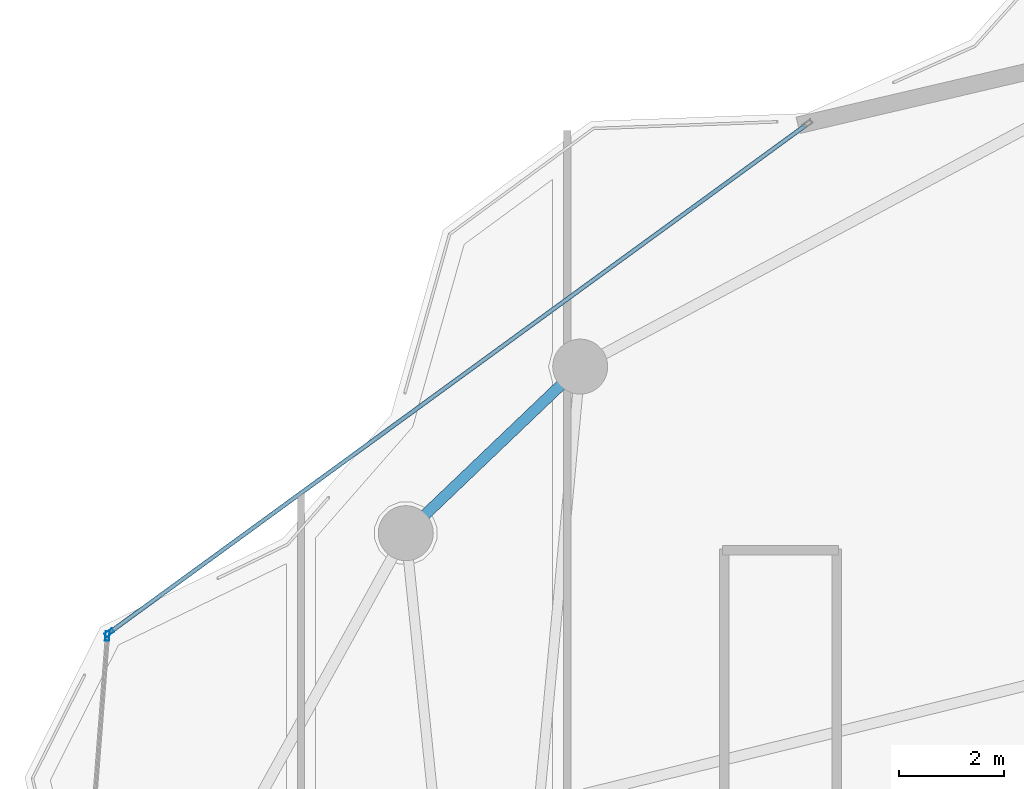
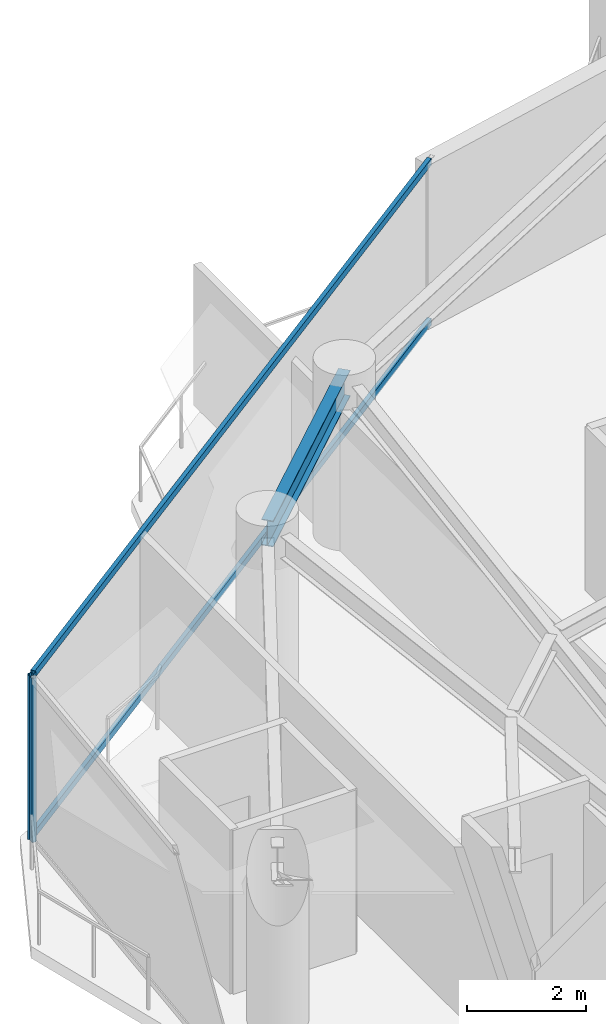
# One storey, part 17 of 31: 4 members, 1 beam, 2 elements without a shape of their own.
"""IFC4 building model written with IfcOpenShell, lengths in metres."""

from ifc_helpers import new_model, si_unit, direction, frame, origin, origin_2d, place, context, subcontext, project, spatial, hollow_rectangle, i_section, extrude, material, layer, layer_set, material_profile, profile_set, type_object, element, aggregate, save


model = new_model("IFC4")

# Units and contexts
model_context = context("Model", 3, precision=1e-05, world=origin(), true_north=direction((0.0, 1.0)))
body_context = subcontext(model_context, "Body", "Model", "MODEL_VIEW")
ifc_project = project(units=[si_unit("LENGTHUNIT", "METRE"), si_unit("AREAUNIT", "SQUARE_METRE"), si_unit("VOLUMEUNIT", "CUBIC_METRE"), si_unit("PLANEANGLEUNIT", "RADIAN"), si_unit("MASSUNIT", "GRAM", prefix="KILO")], contexts=[model_context])

# Site, building, storey
site_placement = place(None, origin())
site = spatial("IfcSite", under=ifc_project, at=site_placement, CompositionType="ELEMENT")
building_placement = place(site_placement, origin())
building = spatial("IfcBuilding", under=site, at=building_placement, Name="Kazevale Care Tower and Concert Hall", CompositionType="ELEMENT")
storey_placement = place(building_placement, frame((0.0, 0.0, 217.199951171875)))
storey = spatial("IfcBuildingStorey", under=building, at=storey_placement, Name="L57", CompositionType="ELEMENT", Elevation=217.199951171875)

# Curtain wall, member
ifc_material_1 = material(Name="Aluminium 6063-T6 and Low-E Glass", Category="aluminium")
ifc_layer = layer(ifc_material_1, 0.179931640625)
ifc_layer_set = layer_set([ifc_layer], Name="Aluminium 6063-T6 and Low-E Glass")
curtain_wall_type = type_object("IfcCurtainWallType", Name="Waist & Upper Residential Curtain Wall CW-4", PredefinedType="NOTDEFINED", material=ifc_layer_set)
curtain_wall_1_placement = place(storey_placement, origin())
curtain_wall_1 = element("IfcCurtainWall", 1, at=curtain_wall_1_placement, inside=storey, type_object=curtain_wall_type, Name="cw:L57:f13", PredefinedType="NOTDEFINED")
ifc_material_2 = material(Name="Aluminium 6063-T6", Category="aluminium")
ifc_material_profile_1 = material_profile(ifc_material_2, hollow_rectangle(XDim=0.080078125, YDim=0.179931640625, WallThickness=0.0048828125, at=origin_2d()), Name="ALU80x180x5")
ifc_profile_set_1 = profile_set([ifc_material_profile_1], Name="Aluminium 6063-T6")
member_type_1 = type_object("IfcMemberType", Name="CW-4 Mullion ALU80x180x5", PredefinedType="MULLION", material=ifc_profile_set_1)
member_1_placement = place(storey_placement, frame((14.722900390625, 49.865234375, 0.0), z_axis=(0.0, 0.0, 1.0), x_axis=(-0.996989311372, 0.077539106325, 0.0)))
member_1 = element("IfcMember", 2, at=member_1_placement, type_object=member_type_1, Name="CW-4 mullion 2", PredefinedType="MULLION", context=body_context, shape_type="SweptSolid", body=[
    extrude(hollow_rectangle(XDim=0.080078125, YDim=0.179931640625, WallThickness=0.0048828125, at=origin_2d()), origin(), (0.0, 0.0, 1.0), 3.360107421875),
])
aggregate(curtain_wall_1, [member_1])

# Curtain wall, members
curtain_wall_2_placement = place(storey_placement, origin())
curtain_wall_2 = element("IfcCurtainWall", 3, at=curtain_wall_2_placement, inside=storey, type_object=curtain_wall_type, Name="cw:L57:f14", PredefinedType="NOTDEFINED")
member_2_placement = place(storey_placement, frame((14.75830078125, 49.928466796875, 0.0), z_axis=(0.0, 0.0, 1.0), x_axis=(-0.588910374145, 0.808198348937, 0.0)))
member_2 = element("IfcMember", 4, at=member_2_placement, type_object=member_type_1, Name="CW-4 mullion 1", PredefinedType="MULLION", context=body_context, shape_type="SweptSolid", body=[
    extrude(hollow_rectangle(XDim=0.080078125, YDim=0.179931640625, WallThickness=0.0048828125, at=origin_2d()), origin(), (0.0, 0.0, 1.0), 3.360107421875),
])
ifc_material_profile_2 = material_profile(ifc_material_2, hollow_rectangle(XDim=0.080078125, YDim=0.139892578125, WallThickness=0.00390625, at=origin_2d()), Name="ALU80x140x4")
ifc_profile_set_2 = profile_set([ifc_material_profile_2], Name="Aluminium 6063-T6")
member_type_2 = type_object("IfcMemberType", Name="CW-4 Transom ALU80x140x4", PredefinedType="USERDEFINED", material=ifc_profile_set_2)
member_3_placement = place(storey_placement, frame((14.790771484375, 49.9521484375, 0.0400390625), z_axis=(0.808197463946, 0.588911588672, 0.0), x_axis=(-0.588911588672, 0.808197463946, 0.0)))
member_3 = element("IfcMember", 5, at=member_3_placement, type_object=member_type_2, Name="CW-4 transom 1.1", ObjectType="TRANSOM", PredefinedType="USERDEFINED", context=body_context, shape_type="SweptSolid", body=[
    extrude(hollow_rectangle(XDim=0.080078125, YDim=0.139892578125, WallThickness=0.00390625, at=origin_2d()), origin(), (0.0, 0.0, 1.0), 16.416259765625),
])
member_4_placement = place(storey_placement, frame((14.790771484375, 49.9521484375, 3.320068359375), z_axis=(0.808197463946, 0.588911588672, 0.0), x_axis=(-0.588911588672, 0.808197463946, 0.0)))
member_4 = element("IfcMember", 6, at=member_4_placement, type_object=member_type_2, Name="CW-4 transom 1.2", ObjectType="TRANSOM", PredefinedType="USERDEFINED", context=body_context, shape_type="SweptSolid", body=[
    extrude(hollow_rectangle(XDim=0.080078125, YDim=0.139892578125, WallThickness=0.00390625, at=origin_2d()), origin(), (0.0, 0.0, 1.0), 16.416259765625),
])
aggregate(curtain_wall_2, [member_2, member_3, member_4])

# Beam
ifc_material_3 = material(Name="Steel ASTM A572 Gr 50", Category="steel")
ifc_material_profile_3 = material_profile(ifc_material_3, i_section(OverallWidth=0.208984375, OverallDepth=0.532958984375, WebThickness=0.01025390625, FlangeThickness=0.015625, at=origin_2d()), Name="W530x92")
ifc_profile_set_3 = profile_set([ifc_material_profile_3], Name="Steel ASTM A572 Gr 50")
beam_type = type_object("IfcBeamType", Name="Upper Ring Beam W530x92", PredefinedType="BEAM", material=ifc_profile_set_3)
beam_placement = place(storey_placement, frame((23.75, 55.010009765625, 3.093505859375), z_axis=(-0.723223118589, -0.690614451585, 0.0), x_axis=(0.690614451585, -0.723223118589, 0.0)))
element("IfcBeam", 7, at=beam_placement, inside=storey, type_object=beam_type, Name="beam:L57:ring:07", PredefinedType="BEAM", context=body_context, shape_type="SweptSolid", body=[
    extrude(i_section(OverallWidth=0.208984375, OverallDepth=0.532958984375, WebThickness=0.01025390625, FlangeThickness=0.015625, at=origin_2d()), origin(), (0.0, 0.0, 1.0), 4.6044921875),
])

save(model, "model.ifc")
